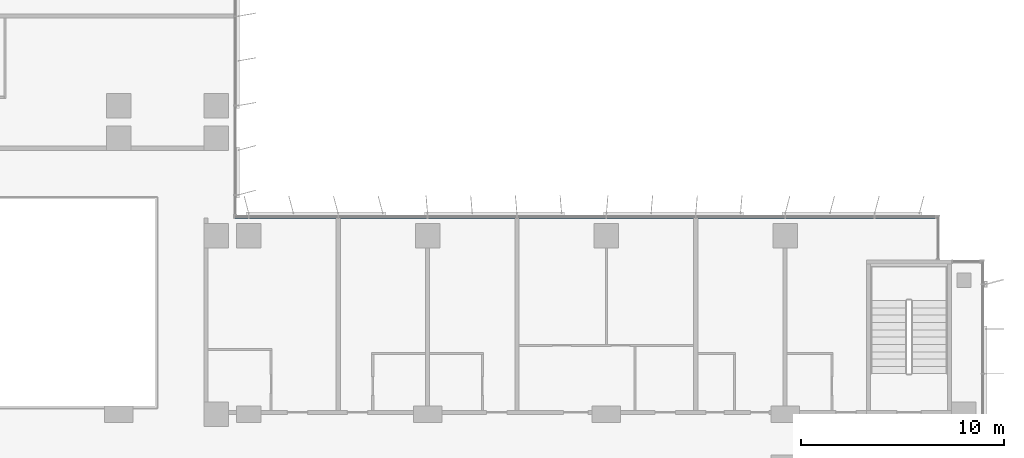
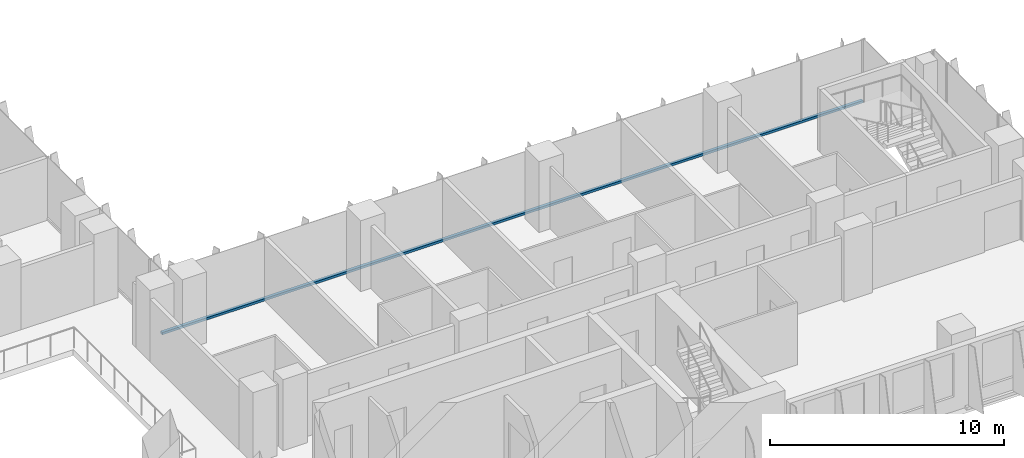
# One storey, part 3 of 22: 1 member, 1 element without a shape of its own.
"""IFC4 building model written with IfcOpenShell, lengths in metres."""

import ifcopenshell
import ifcopenshell.guid

model = None  # the IFC model being written
_history = None  # IfcOwnerHistory: only IFC2X3 demands one
_inside = {}  # id of a spatial element -> (the spatial element, [elements in it])
_under = {}  # id of a project, library or spatial element -> (it, [spatial elements below it])
_declared = {}  # id of a project -> (the project, [libraries it declares])
_typed = {}  # id of a type object -> (the type object, [elements of that type])
_made_of = {}  # id of a material, layer set ... -> (it, [elements and type objects made of it])


def new_model(schema):
    """Start an empty IFC model of exactly this schema.

    Asked for "IFC4X3", IfcOpenShell would pick the latest addendum, in which some entities
    have other attributes; the version numbers below select the first issue.
    IFC2X3 requires an IfcOwnerHistory on every rooted entity: one is made here for all.
    """
    global model, _history
    if schema == "IFC4X3":
        model = ifcopenshell.file(schema_version=(4, 3, 0, 0))
    else:
        model = ifcopenshell.file(schema=schema)
    _inside.clear()
    _under.clear()
    _declared.clear()
    _typed.clear()
    _made_of.clear()
    _history = None
    if model.schema == "IFC2X3":
        org = make("IfcOrganization", Name="unknown")
        user = make(
            "IfcPersonAndOrganization",
            ThePerson=make("IfcPerson", FamilyName="unknown"),
            TheOrganization=org,
        )
        app = make(
            "IfcApplication",
            ApplicationDeveloper=org,
            Version="unknown",
            ApplicationFullName="unknown",
            ApplicationIdentifier="unknown",
        )
        _history = make(
            "IfcOwnerHistory",
            OwningUser=user,
            OwningApplication=app,
            ChangeAction="ADDED",
            CreationDate=0,
        )
    return model


def make(cls, **values):
    """One entity of the class cls with the attributes given. An attribute that is None is left unset."""
    return model.create_entity(
        cls, **{name: value for name, value in values.items() if value is not None}
    )


def rooted(cls, **values):
    """An entity with a GlobalId (a new one), such as an element, a storey or a relation."""
    return make(cls, GlobalId=ifcopenshell.guid.new(), OwnerHistory=_history, **values)


def si_unit(unit_type, name, prefix=None):
    """IfcSIUnit, for example si_unit("LENGTHUNIT", "METRE", prefix="MILLI")."""
    return make("IfcSIUnit", UnitType=unit_type, Prefix=prefix, Name=name)


def assignment(units):
    """IfcUnitAssignment: the units of a project."""
    return None if units is None else make("IfcUnitAssignment", Units=units)


def point(xyz):
    """IfcCartesianPoint."""
    return None if xyz is None else make("IfcCartesianPoint", Coordinates=xyz)


def direction(xyz):
    """IfcDirection."""
    return None if xyz is None else make("IfcDirection", DirectionRatios=xyz)


def frame(location, z_axis=None, x_axis=None):
    """IfcAxis2Placement3D, a coordinate frame: its origin and axes. An axis left out is left unset."""
    return make(
        "IfcAxis2Placement3D",
        Location=point(location),
        Axis=direction(z_axis),
        RefDirection=direction(x_axis),
    )


def frame_2d(location, x_axis=None):
    """IfcAxis2Placement2D, a coordinate frame in the plane: its origin and x axis."""
    return make(
        "IfcAxis2Placement2D", Location=point(location), RefDirection=direction(x_axis)
    )


def origin():
    """The frame at (0, 0, 0) with its axes left unset."""
    return frame((0.0, 0.0, 0.0))


def origin_2d():
    """The frame at (0, 0) in the plane with its x axis left unset."""
    return frame_2d((0.0, 0.0))


def place(relative_to, where):
    """IfcLocalPlacement: puts the frame where relative to a parent placement (None: the world)."""
    return make(
        "IfcLocalPlacement", PlacementRelTo=relative_to, RelativePlacement=where
    )


def context(
    kind, dimensions, precision=None, world=None, true_north=None, identifier=None
):
    """IfcGeometricRepresentationContext, for example the 3D "Model" context."""
    return make(
        "IfcGeometricRepresentationContext",
        ContextIdentifier=identifier,
        ContextType=kind,
        CoordinateSpaceDimension=dimensions,
        Precision=precision,
        WorldCoordinateSystem=world,
        TrueNorth=true_north,
    )


def subcontext(parent, identifier, kind, view, scale=None):
    """IfcGeometricRepresentationSubContext, for example "Body" below "Model"."""
    return make(
        "IfcGeometricRepresentationSubContext",
        ContextIdentifier=identifier,
        ContextType=kind,
        ParentContext=parent,
        TargetScale=scale,
        TargetView=view,
    )


def project(units=None, contexts=None):
    """IfcProject with its units and contexts."""
    return rooted(
        "IfcProject",
        Name="project",
        RepresentationContexts=contexts,
        UnitsInContext=assignment(units),
    )


def spatial(cls, under=None, at=None, **own):
    """A site, building, storey or space (cls), placed at a placement, below another one or the project."""
    s = rooted(cls, ObjectPlacement=at, **own)
    if under is not None:
        _under.setdefault(under.id(), (under, []))[1].append(s)
    return s


def profile(cls, at=None, kind="AREA", **sizes):
    """A parametric profile (cls). Its sizes go by their IFC names, for example OverallWidth=200.0."""
    return make(cls, ProfileType=kind, Position=at, **sizes)


def rectangle(**sizes):
    """IfcRectangleProfileDef."""
    return profile("IfcRectangleProfileDef", **sizes)


def extrude(swept, where, along, depth):
    """IfcExtrudedAreaSolid: the profile swept, set in the frame where, extruded along a direction by depth."""
    return make(
        "IfcExtrudedAreaSolid",
        SweptArea=swept,
        Position=where,
        ExtrudedDirection=direction(along),
        Depth=depth,
    )


def shape(context_of_items, identifier, shape_type, items):
    """IfcShapeRepresentation: the items that make up one representation, for example the "Body"."""
    return make(
        "IfcShapeRepresentation",
        ContextOfItems=context_of_items,
        RepresentationIdentifier=identifier,
        RepresentationType=shape_type,
        Items=items,
    )


def material(Name=None, Category=None):
    """IfcMaterial."""
    return make("IfcMaterial", Name=Name, Category=Category)


def material_profile(
    of_material, cross_section, Name=None, Category=None, Priority=None
):
    """IfcMaterialProfile: a cross section and its material."""
    return make(
        "IfcMaterialProfile",
        Name=Name,
        Material=of_material,
        Profile=cross_section,
        Priority=Priority,
        Category=Category,
    )


def profile_set(profiles, Name=None, composite=None):
    """IfcMaterialProfileSet."""
    return make(
        "IfcMaterialProfileSet",
        Name=Name,
        MaterialProfiles=profiles,
        CompositeProfile=composite,
    )


def made_of(thing, what):
    """Note that an element or type object is made of a material, layer set ...; save() writes the relation."""
    if what is not None:
        _made_of.setdefault(what.id(), (what, []))[1].append(thing)
    return thing


def type_object(cls, material=None, **own):
    """A type object (cls), such as IfcWallType, which elements share."""
    return made_of(rooted(cls, **own), material)


def element(
    cls,
    number,
    at=None,
    inside=None,
    cuts=None,
    type_object=None,
    material=None,
    context=None,
    identifier="Body",
    shape_type=None,
    held_by="IfcProductDefinitionShape",
    body=None,
    shapes=None,
    **own,
):
    """One element of the class cls, such as IfcWall. Its Tag is "e" and its number.

    at: its placement. inside: the storey or other place that contains it. cuts: it is an
    opening in that element (IfcRelVoidsElement). A single representation is given by context,
    identifier, shape_type and body (its items); several are given by shapes. held_by: the class
    of the entity that holds the representations. save() writes the other relations.
    """
    e = rooted(cls, Tag="e%d" % number, ObjectPlacement=at, **own)
    if body is not None:
        shapes = [shape(context, identifier, shape_type, body)]
    if shapes is not None:
        e.Representation = make(held_by, Representations=shapes)
    if inside is not None:
        _inside.setdefault(inside.id(), (inside, []))[1].append(e)
    if cuts is not None:
        rooted(
            "IfcRelVoidsElement", RelatingBuildingElement=cuts, RelatedOpeningElement=e
        )
    if type_object is not None:
        _typed.setdefault(type_object.id(), (type_object, []))[1].append(e)
    return made_of(e, material)


def aggregate(whole, parts):
    """IfcRelAggregates: a whole, such as a stair, and the parts it consists of."""
    return rooted("IfcRelAggregates", RelatingObject=whole, RelatedObjects=parts)


def save(model, path):
    """Write the relations noted so far, then the file.

    IfcRelAggregates (storeys below a building ...), IfcRelContainedInSpatialStructure (elements
    in a storey), IfcRelDefinesByType, IfcRelAssociatesMaterial and IfcRelDeclares: one each for
    every whole, place, type object, material and project.
    """
    for whole, parts in _under.values():
        aggregate(whole, parts)
    for where, things in _inside.values():
        rooted(
            "IfcRelContainedInSpatialStructure",
            RelatedElements=things,
            RelatingStructure=where,
        )
    for kind, things in _typed.values():
        rooted("IfcRelDefinesByType", RelatedObjects=things, RelatingType=kind)
    for what, things in _made_of.values():
        rooted("IfcRelAssociatesMaterial", RelatedObjects=things, RelatingMaterial=what)
    for by, libraries in _declared.values():
        rooted("IfcRelDeclares", RelatingContext=by, RelatedDefinitions=libraries)
    model.write(path)


model = new_model("IFC4")

# Units and contexts
model_context = context("Model", 3, precision=1e-05, world=origin(), true_north=direction((0.0, 1.0)))
body_context = subcontext(model_context, "Body", "Model", "MODEL_VIEW")
ifc_project = project(units=[si_unit("LENGTHUNIT", "METRE"), si_unit("AREAUNIT", "SQUARE_METRE"), si_unit("VOLUMEUNIT", "CUBIC_METRE"), si_unit("PLANEANGLEUNIT", "RADIAN"), si_unit("MASSUNIT", "GRAM", prefix="KILO")], contexts=[model_context])

# Site, building, storey
site_placement = place(None, origin())
site = spatial("IfcSite", under=ifc_project, at=site_placement, CompositionType="ELEMENT")
building_placement = place(site_placement, origin())
building = spatial("IfcBuilding", under=site, at=building_placement, Name="Kemantara Hotel Tower", CompositionType="ELEMENT")
storey_placement = place(building_placement, frame((0.0, 0.0, 129.60009765625)))
storey = spatial("IfcBuildingStorey", under=building, at=storey_placement, Name="L31", CompositionType="ELEMENT", Elevation=129.60009765625)

# Curtain wall, member
ifc_material_1 = material(Name="Low-E tinted double insulated glass 36 mm", Category="glass")
curtain_wall_type = type_object("IfcCurtainWallType", Name="TOWER CURTAIN WALL, FRONT FACES", PredefinedType="USERDEFINED", material=ifc_material_1)
curtain_wall_placement = place(storey_placement, origin())
curtain_wall = element("IfcCurtainWall", 1, at=curtain_wall_placement, inside=storey, type_object=curtain_wall_type, Name="CW4 L31 T2-R13-1", ObjectType="TOWER CURTAIN WALL, FRONT FACES", PredefinedType="USERDEFINED")
ifc_material_2 = material(Name="Aluminium 6063-T6 bronze anodised", Category="aluminium")
ifc_material_profile = material_profile(ifc_material_2, rectangle(XDim=0.14990234375, YDim=0.1201171875, at=origin_2d()), Name="TOWER CURTAIN WALL, FRONT FACES TRANSOM")
ifc_profile_set = profile_set([ifc_material_profile], Name="Aluminium 6063-T6 bronze anodised")
member_type = type_object("IfcMemberType", Name="TOWER CURTAIN WALL, FRONT FACES TRANSOM", PredefinedType="USERDEFINED", material=ifc_profile_set)
member_placement = place(storey_placement, frame((61.25, 21.925048828125, 0.059814453125), z_axis=(-1.0, 0.0, 0.0), x_axis=(0.0, -1.0, 0.0)))
member = element("IfcMember", 2, at=member_placement, type_object=member_type, Name="CW4 sill transom T2-R13-1", ObjectType="TRANSOM", PredefinedType="USERDEFINED", context=body_context, shape_type="SweptSolid", body=[
    extrude(rectangle(XDim=0.14990234375, YDim=0.1201171875, at=origin_2d()), origin(), (0.0, 0.0, 1.0), 34.60009765625),
])
aggregate(curtain_wall, [member])

save(model, "model.ifc")
